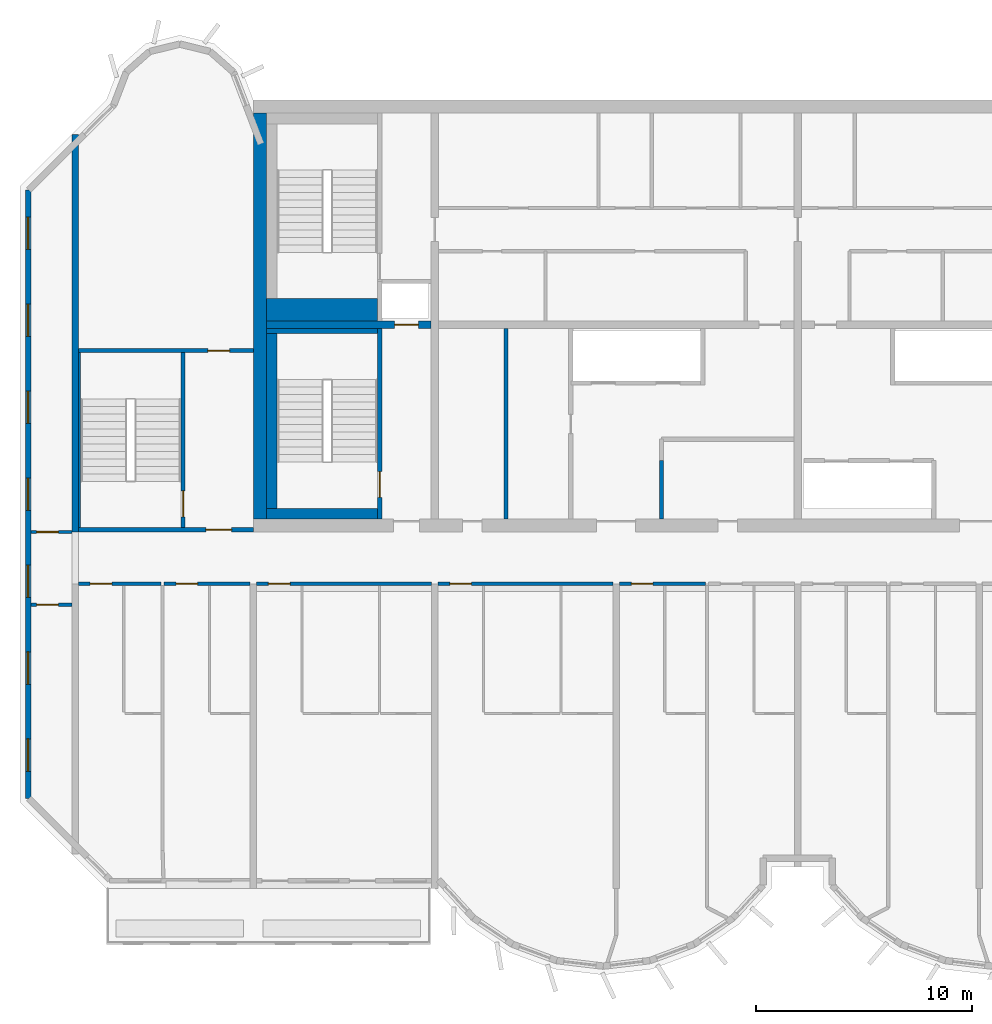
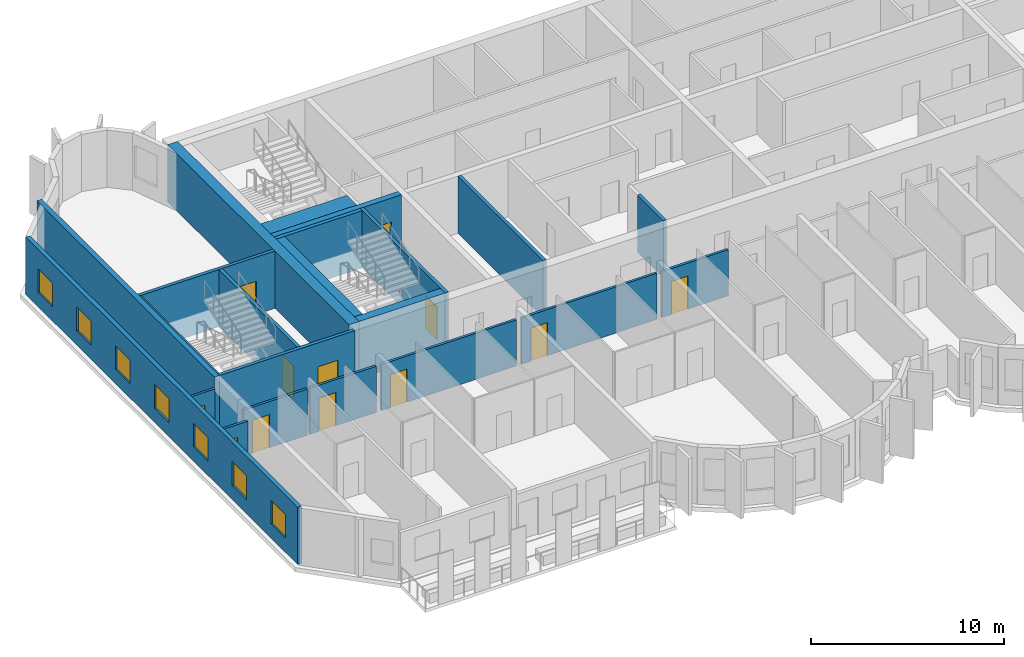
# One storey, part 3 of 11: 22 walls, 12 doors, 7 windows, 19 openings.
"""IFC4 building model written with IfcOpenShell, lengths in metres."""

from ifc_helpers import new_model, si_unit, direction, frame, frame_2d, origin, place, context, subcontext, project, spatial, rectangle, extrude, source, transform, mapped, material, layer, layer_set, type_object, element, fill, save


model = new_model("IFC4")

# Units and contexts
model_context = context("Model", 3, precision=1e-05, world=origin(), true_north=direction((0.0, 1.0)))
body_context = subcontext(model_context, "Body", "Model", "MODEL_VIEW")
ifc_project = project(units=[si_unit("LENGTHUNIT", "METRE"), si_unit("AREAUNIT", "SQUARE_METRE"), si_unit("VOLUMEUNIT", "CUBIC_METRE"), si_unit("PLANEANGLEUNIT", "RADIAN"), si_unit("MASSUNIT", "GRAM", prefix="KILO")], contexts=[model_context])

# Site, building, storey
site_placement = place(None, origin())
site = spatial("IfcSite", under=ifc_project, at=site_placement, CompositionType="ELEMENT")
building_placement = place(site_placement, origin())
building = spatial("IfcBuilding", under=site, at=building_placement, Name="Vanashikhar Sky Hotel", CompositionType="ELEMENT")
storey_placement = place(building_placement, frame((0.0, 0.0, 260.800048828125)))
storey = spatial("IfcBuildingStorey", under=building, at=storey_placement, Name="L63", CompositionType="ELEMENT", Elevation=260.800048828125)

# Wall
ifc_material_1 = material(Name="Concrete M60", Category="concrete")
ifc_layer_1 = layer(ifc_material_1, 0.60009765625)
ifc_layer_set_1 = layer_set([ifc_layer_1], Name="RC core shell wall 600 Concrete M60")
wall_type_1 = type_object("IfcWallType", Name="RC core shell wall 600 Concrete M60", PredefinedType="SHEAR", material=ifc_layer_set_1)
shared_shape_1 = source(origin(), body_context, "Body", "SweptSolid", [
    extrude(rectangle(XDim=18.7998046875, YDim=0.60009765625, at=frame_2d((9.39990234375, 0.0))), origin(), (0.0, 0.0, 1.0), 3.619873046875),
])
wall_1_placement = place(storey_placement, frame((25.5, 22.60009765625, 0.0), z_axis=(0.0, 0.0, 1.0), x_axis=(0.0, 1.0, 0.0)))
element("IfcWall", 1, at=wall_1_placement, inside=storey, type_object=wall_type_1, Name="KW-L63-KW", PredefinedType="SHEAR", context=body_context, shape_type="MappedRepresentation", body=[
    mapped(shared_shape_1, transform((0.0, 0.0, 0.0), scale=1.0)),
])

# Wall, opening, door
ifc_layer_2 = layer(ifc_material_1, 0.35009765625)
ifc_layer_set_2 = layer_set([ifc_layer_2], Name="RC core inner wall 350 Concrete M60")
wall_type_2 = type_object("IfcWallType", Name="RC core inner wall 350 Concrete M60", PredefinedType="SHEAR", material=ifc_layer_set_2)
shared_shape_2 = source(origin(), body_context, "Body", "SweptSolid", [
    extrude(rectangle(XDim=7.625, YDim=0.35009765625, at=frame_2d((3.8125, 0.0))), origin(), (0.0, 0.0, 1.0), 3.619873046875),
])
wall_2_placement = place(storey_placement, frame((25.800048828125, 31.60009765625, 0.0), z_axis=(0.0, 0.0, 1.0), x_axis=(1.0, 0.0, 0.0)))
wall_2 = element("IfcWall", 2, at=wall_2_placement, inside=storey, type_object=wall_type_2, Name="KW-L63-KY1", PredefinedType="SHEAR", context=body_context, shape_type="MappedRepresentation", body=[
    mapped(shared_shape_2, transform((0.0, 0.0, 0.0), scale=1.0)),
])
shared_shape_3 = source(origin(), body_context, "Body", "SweptSolid", [
    extrude(rectangle(XDim=1.10009765625, YDim=2.10009765625, at=frame_2d((0.550048828125, 1.050048828125))), frame((0.0, 0.18505859375, 0.0), z_axis=(0.0, -1.0, 0.0), x_axis=(1.0, 0.0, 0.0)), (0.0, 0.0, 1.0), 0.3701171875),
])
opening_1_placement = place(wall_2_placement, frame((5.93798828125, 0.0, 0.0)))
opening_1 = element("IfcOpeningElement", 3, at=opening_1_placement, cuts=wall_2, Name="Opening LD", PredefinedType="OPENING", context=body_context, shape_type="MappedRepresentation", body=[
    mapped(shared_shape_3, transform((0.0, 0.0, 0.0), scale=1.0)),
])
ifc_material_2 = material(Name="Stainless steel", Category="steel")
door_type_1 = type_object("IfcDoorType", Name="Lift landing door 1100", OperationType="NOTDEFINED", PredefinedType="DOOR", material=ifc_material_2)
shared_shape_4 = source(origin(), body_context, "Body", "SweptSolid", [
    extrude(rectangle(XDim=1.10009765625, YDim=2.10009765625, at=frame_2d((0.550048828125, 1.050048828125))), frame((0.0, 0.02490234375, 0.0), z_axis=(0.0, -1.0, 0.0), x_axis=(1.0, 0.0, 0.0)), (0.0, 0.0, 1.0), 0.050048828125),
])
door_1_placement = place(opening_1_placement, origin())
door_1 = element("IfcDoor", 4, at=door_1_placement, inside=storey, type_object=door_type_1, Name="Lift landing door 1100", OperationType="SLIDING_TO_LEFT", OverallHeight=2.10009765625, OverallWidth=1.10009765625, PredefinedType="DOOR", context=body_context, shape_type="MappedRepresentation", body=[
    mapped(shared_shape_4, transform((0.0, 0.0, 0.0), scale=1.0)),
])
fill(opening_1, door_1)

# Wall
ifc_layer_3 = layer(ifc_material_1, 0.300048828125)
ifc_layer_set_3 = layer_set([ifc_layer_3], Name="RC shear wall 300 Concrete M60")
wall_type_3 = type_object("IfcWallType", Name="RC shear wall 300 Concrete M60", PredefinedType="SHEAR", material=ifc_layer_set_3)
shared_shape_5 = source(origin(), body_context, "Body", "SweptSolid", [
    extrude(rectangle(XDim=18.39990234375, YDim=0.300048828125, at=frame_2d((9.199951171875, 0.0))), origin(), (0.0, 0.0, 1.0), 3.619873046875),
])
wall_3_placement = place(storey_placement, frame((16.949951171875, 22.0, 0.0), z_axis=(0.0, 0.0, 1.0), x_axis=(0.0, 1.0, 0.0)))
element("IfcWall", 5, at=wall_3_placement, inside=storey, type_object=wall_type_3, Name="CW-L63-XW03-2", PredefinedType="SHEAR", context=body_context, shape_type="MappedRepresentation", body=[
    mapped(shared_shape_5, transform((0.0, 0.0, 0.0), scale=1.0)),
])

# Wall, openings, windows
ifc_material_3 = material(Name="Concrete M50", Category="concrete")
ifc_layer_4 = layer(ifc_material_3, 0.25)
ifc_layer_set_4 = layer_set([ifc_layer_4], Name="Rear and end board-marked wall 250")
wall_type_4 = type_object("IfcWallType", Name="Rear and end board-marked wall 250", PredefinedType="SOLIDWALL", material=ifc_layer_set_4)
shared_shape_6 = source(origin(), body_context, "Body", "SweptSolid", [
    extrude(rectangle(XDim=28.189453125, YDim=0.25, at=frame_2d((14.0947265625, 0.0))), origin(), (0.0, 0.0, 1.0), 3.619873046875),
])
wall_4_placement = place(storey_placement, frame((14.77490234375, 37.8447265625, 0.0), z_axis=(0.0, 0.0, 1.0), x_axis=(0.0, -1.0, 0.0)))
wall_4 = element("IfcWall", 6, at=wall_4_placement, inside=storey, type_object=wall_type_4, Name="End board-marked wall", PredefinedType="SOLIDWALL", context=body_context, shape_type="MappedRepresentation", body=[
    mapped(shared_shape_6, transform((0.0, 0.0, 0.0), scale=1.0)),
])
shared_shape_7 = source(origin(), body_context, "Body", "SweptSolid", [
    extrude(rectangle(XDim=1.5, YDim=1.5, at=frame_2d((0.75, 0.75))), frame((0.0, 0.135009765625, 0.0), z_axis=(0.0, -1.0, 0.0), x_axis=(1.0, 0.0, 0.0)), (0.0, 0.0, 1.0), 0.27001953125),
])
opening_2_placement = place(wall_4_placement, frame((1.263427734375, 0.0, 0.89990234375)))
opening_2 = element("IfcOpeningElement", 7, at=opening_2_placement, cuts=wall_4, Name="Opening WN-1", PredefinedType="OPENING", context=body_context, shape_type="MappedRepresentation", body=[
    mapped(shared_shape_7, transform((0.0, 0.0, 0.0), scale=1.0)),
])
opening_3_placement = place(wall_4_placement, frame((5.29052734375, 0.0, 0.89990234375)))
opening_3 = element("IfcOpeningElement", 8, at=opening_3_placement, cuts=wall_4, Name="Opening WN-1", PredefinedType="OPENING", context=body_context, shape_type="MappedRepresentation", body=[
    mapped(shared_shape_7, transform((0.0, 0.0, 0.0), scale=1.0)),
])
opening_4_placement = place(wall_4_placement, frame((9.317626953125, 0.0, 0.89990234375)))
opening_4 = element("IfcOpeningElement", 9, at=opening_4_placement, cuts=wall_4, Name="Opening WN-1", PredefinedType="OPENING", context=body_context, shape_type="MappedRepresentation", body=[
    mapped(shared_shape_7, transform((0.0, 0.0, 0.0), scale=1.0)),
])
opening_5_placement = place(wall_4_placement, frame((13.3447265625, 0.0, 0.89990234375)))
opening_5 = element("IfcOpeningElement", 10, at=opening_5_placement, cuts=wall_4, Name="Opening WN-1", PredefinedType="OPENING", context=body_context, shape_type="MappedRepresentation", body=[
    mapped(shared_shape_7, transform((0.0, 0.0, 0.0), scale=1.0)),
])
opening_6_placement = place(wall_4_placement, frame((17.371826171875, 0.0, 0.89990234375)))
opening_6 = element("IfcOpeningElement", 11, at=opening_6_placement, cuts=wall_4, Name="Opening WN-1", PredefinedType="OPENING", context=body_context, shape_type="MappedRepresentation", body=[
    mapped(shared_shape_7, transform((0.0, 0.0, 0.0), scale=1.0)),
])
opening_7_placement = place(wall_4_placement, frame((21.398681640625, 0.0, 0.89990234375)))
opening_7 = element("IfcOpeningElement", 12, at=opening_7_placement, cuts=wall_4, Name="Opening WN-1", PredefinedType="OPENING", context=body_context, shape_type="MappedRepresentation", body=[
    mapped(shared_shape_7, transform((0.0, 0.0, 0.0), scale=1.0)),
])
opening_8_placement = place(wall_4_placement, frame((25.42578125, 0.0, 0.89990234375)))
opening_8 = element("IfcOpeningElement", 13, at=opening_8_placement, cuts=wall_4, Name="Opening WN-1", PredefinedType="OPENING", context=body_context, shape_type="MappedRepresentation", body=[
    mapped(shared_shape_7, transform((0.0, 0.0, 0.0), scale=1.0)),
])
ifc_material_4 = material(Name="Glass", Category="glass")
window_type = type_object("IfcWindowType", Name="Window 1500 x 1500", PartitioningType="SINGLE_PANEL", PredefinedType="WINDOW", material=ifc_material_4)
shared_shape_8 = source(origin(), body_context, "Body", "SweptSolid", [
    extrude(rectangle(XDim=1.5, YDim=1.5, at=frame_2d((0.75, 0.75))), frame((0.0, 0.030029296875, 0.0), z_axis=(0.0, -1.0, 0.0), x_axis=(1.0, 0.0, 0.0)), (0.0, 0.0, 1.0), 0.06005859375),
])
window_1_placement = place(opening_2_placement, origin())
window_1 = element("IfcWindow", 14, at=window_1_placement, inside=storey, type_object=window_type, Name="Window WN-1", OverallHeight=1.5, OverallWidth=1.5, PartitioningType="SINGLE_PANEL", PredefinedType="WINDOW", context=body_context, shape_type="MappedRepresentation", body=[
    mapped(shared_shape_8, transform((0.0, 0.0, 0.0), scale=1.0)),
])
fill(opening_2, window_1)
window_2_placement = place(opening_3_placement, origin())
window_2 = element("IfcWindow", 15, at=window_2_placement, inside=storey, type_object=window_type, Name="Window WN-1", OverallHeight=1.5, OverallWidth=1.5, PartitioningType="SINGLE_PANEL", PredefinedType="WINDOW", context=body_context, shape_type="MappedRepresentation", body=[
    mapped(shared_shape_8, transform((0.0, 0.0, 0.0), scale=1.0)),
])
fill(opening_3, window_2)
window_3_placement = place(opening_4_placement, origin())
window_3 = element("IfcWindow", 16, at=window_3_placement, inside=storey, type_object=window_type, Name="Window WN-1", OverallHeight=1.5, OverallWidth=1.5, PartitioningType="SINGLE_PANEL", PredefinedType="WINDOW", context=body_context, shape_type="MappedRepresentation", body=[
    mapped(shared_shape_8, transform((0.0, 0.0, 0.0), scale=1.0)),
])
fill(opening_4, window_3)
window_4_placement = place(opening_5_placement, origin())
window_4 = element("IfcWindow", 17, at=window_4_placement, inside=storey, type_object=window_type, Name="Window WN-1", OverallHeight=1.5, OverallWidth=1.5, PartitioningType="SINGLE_PANEL", PredefinedType="WINDOW", context=body_context, shape_type="MappedRepresentation", body=[
    mapped(shared_shape_8, transform((0.0, 0.0, 0.0), scale=1.0)),
])
fill(opening_5, window_4)
window_5_placement = place(opening_6_placement, origin())
window_5 = element("IfcWindow", 18, at=window_5_placement, inside=storey, type_object=window_type, Name="Window WN-1", OverallHeight=1.5, OverallWidth=1.5, PartitioningType="SINGLE_PANEL", PredefinedType="WINDOW", context=body_context, shape_type="MappedRepresentation", body=[
    mapped(shared_shape_8, transform((0.0, 0.0, 0.0), scale=1.0)),
])
fill(opening_6, window_5)
window_6_placement = place(opening_7_placement, origin())
window_6 = element("IfcWindow", 19, at=window_6_placement, inside=storey, type_object=window_type, Name="Window WN-1", OverallHeight=1.5, OverallWidth=1.5, PartitioningType="SINGLE_PANEL", PredefinedType="WINDOW", context=body_context, shape_type="MappedRepresentation", body=[
    mapped(shared_shape_8, transform((0.0, 0.0, 0.0), scale=1.0)),
])
fill(opening_7, window_6)
window_7_placement = place(opening_8_placement, origin())
window_7 = element("IfcWindow", 20, at=window_7_placement, inside=storey, type_object=window_type, Name="Window WN-1", OverallHeight=1.5, OverallWidth=1.5, PartitioningType="SINGLE_PANEL", PredefinedType="WINDOW", context=body_context, shape_type="MappedRepresentation", body=[
    mapped(shared_shape_8, transform((0.0, 0.0, 0.0), scale=1.0)),
])
fill(opening_8, window_7)

# Walls
ifc_material_5 = material(Name="Gypsum board partition")
ifc_layer_5 = layer(ifc_material_5, 0.14990234375)
ifc_layer_set_5 = layer_set([ifc_layer_5], Name="Service partition 150")
wall_type_5 = type_object("IfcWallType", Name="Service partition 150", PredefinedType="PARTITIONING", material=ifc_layer_set_5)
shared_shape_9 = source(origin(), body_context, "Body", "SweptSolid", [
    extrude(rectangle(XDim=8.824951171875, YDim=0.199951171875, at=frame_2d((4.41259765625, 0.0))), origin(), (0.0, 0.0, 1.0), 3.619873046875),
])
wall_5_placement = place(storey_placement, frame((36.89990234375, 22.60009765625, 0.0), z_axis=(0.0, 0.0, 1.0), x_axis=(0.0, 1.0, 0.0)))
element("IfcWall", 21, at=wall_5_placement, inside=storey, type_object=wall_type_5, Name="Service partition 150", PredefinedType="PARTITIONING", context=body_context, shape_type="MappedRepresentation", body=[
    mapped(shared_shape_9, transform((0.0, 0.0, 0.0), scale=1.0)),
])
shared_shape_10 = source(origin(), body_context, "Body", "SweptSolid", [
    extrude(rectangle(XDim=2.699951171875, YDim=0.199951171875, at=frame_2d((1.35009765625, 0.0))), origin(), (0.0, 0.0, 1.0), 3.619873046875),
])
wall_6_placement = place(storey_placement, frame((44.10009765625, 22.60009765625, 0.0), z_axis=(0.0, 0.0, 1.0), x_axis=(0.0, 1.0, 0.0)))
element("IfcWall", 22, at=wall_6_placement, inside=storey, type_object=wall_type_5, Name="Service partition 150", PredefinedType="PARTITIONING", context=body_context, shape_type="MappedRepresentation", body=[
    mapped(shared_shape_10, transform((0.0, 0.0, 0.0), scale=1.0)),
])

# Wall, opening, door
ifc_layer_6 = layer(ifc_material_3, 0.199951171875)
ifc_layer_set_6 = layer_set([ifc_layer_6], Name="Stair wall 200")
wall_type_6 = type_object("IfcWallType", Name="Stair wall 200", PredefinedType="SOLIDWALL", material=ifc_layer_set_6)
shared_shape_11 = source(origin(), body_context, "Body", "SweptSolid", [
    extrude(rectangle(XDim=8.824951171875, YDim=0.199951171875, at=frame_2d((4.41259765625, 0.0))), origin(), (0.0, 0.0, 1.0), 3.619873046875),
])
wall_7_placement = place(storey_placement, frame((31.050048828125, 22.60009765625, 0.0), z_axis=(0.0, 0.0, 1.0), x_axis=(0.0, 1.0, 0.0)))
wall_7 = element("IfcWall", 23, at=wall_7_placement, inside=storey, type_object=wall_type_6, Name="Stair wall 200", PredefinedType="SOLIDWALL", context=body_context, shape_type="MappedRepresentation", body=[
    mapped(shared_shape_11, transform((0.0, 0.0, 0.0), scale=1.0)),
])
shared_shape_12 = source(origin(), body_context, "Body", "SweptSolid", [
    extrude(rectangle(XDim=1.199951171875, YDim=2.10009765625, at=frame_2d((0.60009765625, 1.050048828125))), frame((0.0, 0.10986328125, 0.0), z_axis=(0.0, -1.0, 0.0), x_axis=(1.0, 0.0, 0.0)), (0.0, 0.0, 1.0), 0.219970703125),
])
opening_9_placement = place(wall_7_placement, frame((1.0, 0.0, 0.0)))
opening_9 = element("IfcOpeningElement", 24, at=opening_9_placement, cuts=wall_7, Name="Opening DC-1", PredefinedType="OPENING", context=body_context, shape_type="MappedRepresentation", body=[
    mapped(shared_shape_12, transform((0.0, 0.0, 0.0), scale=1.0)),
])
ifc_material_6 = material(Name="Steel", Category="steel")
door_type_2 = type_object("IfcDoorType", Name="Stair door 1200 FD120", OperationType="NOTDEFINED", PredefinedType="DOOR", material=ifc_material_6)
shared_shape_13 = source(origin(), body_context, "Body", "SweptSolid", [
    extrude(rectangle(XDim=1.199951171875, YDim=2.10009765625, at=frame_2d((0.60009765625, 1.050048828125))), frame((0.0, 0.02490234375, 0.0), z_axis=(0.0, -1.0, 0.0), x_axis=(1.0, 0.0, 0.0)), (0.0, 0.0, 1.0), 0.050048828125),
])
door_2_placement = place(opening_9_placement, origin())
door_2 = element("IfcDoor", 25, at=door_2_placement, inside=storey, type_object=door_type_2, Name="Stair door 1200 FD120", OperationType="SINGLE_SWING_LEFT", OverallHeight=2.10009765625, OverallWidth=1.199951171875, PredefinedType="DOOR", context=body_context, shape_type="MappedRepresentation", body=[
    mapped(shared_shape_13, transform((0.0, 0.0, 0.0), scale=1.0)),
])
fill(opening_9, door_2)

shared_shape_14 = source(origin(), body_context, "Body", "SweptSolid", [
    extrude(rectangle(XDim=8.2998046875, YDim=0.199951171875, at=frame_2d((4.14990234375, 0.0))), origin(), (0.0, 0.0, 1.0), 3.619873046875),
])
wall_8_placement = place(storey_placement, frame((21.949951171875, 22.10009765625, 0.0), z_axis=(0.0, 0.0, 1.0), x_axis=(0.0, 1.0, 0.0)))
wall_8 = element("IfcWall", 26, at=wall_8_placement, inside=storey, type_object=wall_type_6, Name="Stair wall 200", PredefinedType="SOLIDWALL", context=body_context, shape_type="MappedRepresentation", body=[
    mapped(shared_shape_14, transform((0.0, 0.0, 0.0), scale=1.0)),
])
opening_10_placement = place(wall_8_placement, frame((0.60009765625, 0.0, 0.0)))
opening_10 = element("IfcOpeningElement", 27, at=opening_10_placement, cuts=wall_8, Name="Opening DC-1", PredefinedType="OPENING", context=body_context, shape_type="MappedRepresentation", body=[
    mapped(shared_shape_12, transform((0.0, 0.0, 0.0), scale=1.0)),
])
door_3_placement = place(opening_10_placement, origin())
door_3 = element("IfcDoor", 28, at=door_3_placement, inside=storey, type_object=door_type_2, Name="Stair door 1200 FD120", OperationType="SINGLE_SWING_LEFT", OverallHeight=2.10009765625, OverallWidth=1.199951171875, PredefinedType="DOOR", context=body_context, shape_type="MappedRepresentation", body=[
    mapped(shared_shape_13, transform((0.0, 0.0, 0.0), scale=1.0)),
])
fill(opening_10, door_3)

shared_shape_15 = source(origin(), body_context, "Body", "SweptSolid", [
    extrude(rectangle(XDim=8.099853515625, YDim=0.199951171875, at=frame_2d((4.0498046875, 0.0))), origin(), (0.0, 0.0, 1.0), 3.619873046875),
])
wall_9_placement = place(storey_placement, frame((17.10009765625, 22.10009765625, 0.0), z_axis=(0.0, 0.0, 1.0), x_axis=(1.0, 0.0, 0.0)))
wall_9 = element("IfcWall", 29, at=wall_9_placement, inside=storey, type_object=wall_type_6, Name="Stair wall 200", PredefinedType="SOLIDWALL", context=body_context, shape_type="MappedRepresentation", body=[
    mapped(shared_shape_15, transform((0.0, 0.0, 0.0), scale=1.0)),
])
opening_11_placement = place(wall_9_placement, frame((5.89990234375, 0.0, 0.0)))
opening_11 = element("IfcOpeningElement", 30, at=opening_11_placement, cuts=wall_9, Name="Opening DC-2", PredefinedType="OPENING", context=body_context, shape_type="MappedRepresentation", body=[
    mapped(shared_shape_12, transform((0.0, 0.0, 0.0), scale=1.0)),
])
door_type_3 = type_object("IfcDoorType", Name="Firefighting lobby door 1200 FD120", OperationType="NOTDEFINED", PredefinedType="DOOR", material=ifc_material_6)
door_4_placement = place(opening_11_placement, origin())
door_4 = element("IfcDoor", 31, at=door_4_placement, inside=storey, type_object=door_type_3, Name="Firefighting lobby door 1200 FD120", OperationType="SINGLE_SWING_RIGHT", OverallHeight=2.10009765625, OverallWidth=1.199951171875, PredefinedType="DOOR", context=body_context, shape_type="MappedRepresentation", body=[
    mapped(shared_shape_13, transform((0.0, 0.0, 0.0), scale=1.0)),
])
fill(opening_11, door_4)

wall_10_placement = place(storey_placement, frame((17.10009765625, 30.39990234375, 0.0), z_axis=(0.0, 0.0, 1.0), x_axis=(1.0, 0.0, 0.0)))
wall_10 = element("IfcWall", 32, at=wall_10_placement, inside=storey, type_object=wall_type_6, Name="Stair wall 200", PredefinedType="SOLIDWALL", context=body_context, shape_type="MappedRepresentation", body=[
    mapped(shared_shape_15, transform((0.0, 0.0, 0.0), scale=1.0)),
])
shared_shape_16 = source(origin(), body_context, "Body", "SweptSolid", [
    extrude(rectangle(XDim=1.0, YDim=2.10009765625, at=frame_2d((0.5, 1.050048828125))), frame((0.0, 0.10986328125, 0.0), z_axis=(0.0, -1.0, 0.0), x_axis=(1.0, 0.0, 0.0)), (0.0, 0.0, 1.0), 0.219970703125),
])
opening_12_placement = place(wall_10_placement, frame((6.0, 0.0, 0.0)))
opening_12 = element("IfcOpeningElement", 33, at=opening_12_placement, cuts=wall_10, Name="Opening DC-6", PredefinedType="OPENING", context=body_context, shape_type="MappedRepresentation", body=[
    mapped(shared_shape_16, transform((0.0, 0.0, 0.0), scale=1.0)),
])
door_type_4 = type_object("IfcDoorType", Name="Pocket door 1000 FD60", OperationType="NOTDEFINED", PredefinedType="DOOR", material=ifc_material_6)
shared_shape_17 = source(origin(), body_context, "Body", "SweptSolid", [
    extrude(rectangle(XDim=1.0, YDim=2.10009765625, at=frame_2d((0.5, 1.050048828125))), frame((0.0, 0.02490234375, 0.0), z_axis=(0.0, -1.0, 0.0), x_axis=(1.0, 0.0, 0.0)), (0.0, 0.0, 1.0), 0.050048828125),
])
door_5_placement = place(opening_12_placement, origin())
door_5 = element("IfcDoor", 34, at=door_5_placement, inside=storey, type_object=door_type_4, Name="Pocket door 1000 FD60", OperationType="SINGLE_SWING_RIGHT", OverallHeight=2.10009765625, OverallWidth=1.0, PredefinedType="DOOR", context=body_context, shape_type="MappedRepresentation", body=[
    mapped(shared_shape_17, transform((0.0, 0.0, 0.0), scale=1.0)),
])
fill(opening_12, door_5)

# Walls
ifc_layer_7 = layer(ifc_material_3, 0.5)
ifc_layer_set_7 = layer_set([ifc_layer_7], Name="Stair infill wall 500")
wall_type_7 = type_object("IfcWallType", Name="Stair infill wall 500", PredefinedType="SOLIDWALL", material=ifc_layer_set_7)
shared_shape_18 = source(origin(), body_context, "Body", "SweptSolid", [
    extrude(rectangle(XDim=5.14990234375, YDim=0.5, at=frame_2d((2.574951171875, 0.0))), origin(), (0.0, 0.0, 1.0), 3.619873046875),
])
wall_11_placement = place(storey_placement, frame((25.800048828125, 22.85009765625, 0.0), z_axis=(0.0, 0.0, 1.0), x_axis=(1.0, 0.0, 0.0)))
element("IfcWall", 35, at=wall_11_placement, inside=storey, type_object=wall_type_7, Name="Stair infill wall 500", PredefinedType="SOLIDWALL", context=body_context, shape_type="MappedRepresentation", body=[
    mapped(shared_shape_18, transform((0.0, 0.0, 0.0), scale=1.0)),
])
ifc_layer_8 = layer(ifc_material_3, 0.22509765625)
ifc_layer_set_8 = layer_set([ifc_layer_8], Name="Stair infill wall 225")
wall_type_8 = type_object("IfcWallType", Name="Stair infill wall 225", PredefinedType="SOLIDWALL", material=ifc_layer_set_8)
shared_shape_19 = source(origin(), body_context, "Body", "SweptSolid", [
    extrude(rectangle(XDim=5.14990234375, YDim=0.22509765625, at=frame_2d((2.574951171875, 0.0))), origin(), (0.0, 0.0, 1.0), 3.619873046875),
])
wall_12_placement = place(storey_placement, frame((25.800048828125, 31.31201171875, 0.0), z_axis=(0.0, 0.0, 1.0), x_axis=(1.0, 0.0, 0.0)))
element("IfcWall", 36, at=wall_12_placement, inside=storey, type_object=wall_type_8, Name="Stair infill wall 225", PredefinedType="SOLIDWALL", context=body_context, shape_type="MappedRepresentation", body=[
    mapped(shared_shape_19, transform((0.0, 0.0, 0.0), scale=1.0)),
])
shared_shape_20 = source(origin(), body_context, "Body", "SweptSolid", [
    extrude(rectangle(XDim=8.099853515625, YDim=0.5, at=frame_2d((4.0498046875, 0.0))), origin(), (0.0, 0.0, 1.0), 3.619873046875),
])
wall_13_placement = place(storey_placement, frame((26.050048828125, 23.10009765625, 0.0), z_axis=(0.0, 0.0, 1.0), x_axis=(0.0, 1.0, 0.0)))
element("IfcWall", 37, at=wall_13_placement, inside=storey, type_object=wall_type_7, Name="Stair infill wall 500", PredefinedType="SOLIDWALL", context=body_context, shape_type="MappedRepresentation", body=[
    mapped(shared_shape_20, transform((0.0, 0.0, 0.0), scale=1.0)),
])
ifc_layer_9 = layer(ifc_material_3, 0.10009765625)
ifc_layer_set_9 = layer_set([ifc_layer_9], Name="Stair infill wall 100")
wall_type_9 = type_object("IfcWallType", Name="Stair infill wall 100", PredefinedType="SOLIDWALL", material=ifc_layer_set_9)
shared_shape_21 = source(origin(), body_context, "Body", "SweptSolid", [
    extrude(rectangle(XDim=8.10009765625, YDim=0.10009765625, at=frame_2d((4.050048828125, 0.0))), origin(), (0.0, 0.0, 1.0), 3.619873046875),
])
wall_14_placement = place(storey_placement, frame((17.14990234375, 22.199951171875, 0.0), z_axis=(0.0, 0.0, 1.0), x_axis=(0.0, 1.0, 0.0)))
element("IfcWall", 38, at=wall_14_placement, inside=storey, type_object=wall_type_9, Name="Stair infill wall 100", PredefinedType="SOLIDWALL", context=body_context, shape_type="MappedRepresentation", body=[
    mapped(shared_shape_21, transform((0.0, 0.0, 0.0), scale=1.0)),
])
ifc_layer_10 = layer(ifc_material_3, 1.02490234375)
ifc_layer_set_10 = layer_set([ifc_layer_10], Name="Stair infill wall 1025")
wall_type_10 = type_object("IfcWallType", Name="Stair infill wall 1025", PredefinedType="SOLIDWALL", material=ifc_layer_set_10)
shared_shape_22 = source(origin(), body_context, "Body", "SweptSolid", [
    extrude(rectangle(XDim=5.14990234375, YDim=1.02490234375, at=frame_2d((2.574951171875, 0.0))), origin(), (0.0, 0.0, 1.0), 3.619873046875),
])
wall_15_placement = place(storey_placement, frame((25.800048828125, 32.287109375, 0.0), z_axis=(0.0, 0.0, 1.0), x_axis=(1.0, 0.0, 0.0)))
element("IfcWall", 39, at=wall_15_placement, inside=storey, type_object=wall_type_10, Name="Stair infill wall 1025", PredefinedType="SOLIDWALL", context=body_context, shape_type="MappedRepresentation", body=[
    mapped(shared_shape_22, transform((0.0, 0.0, 0.0), scale=1.0)),
])

# Wall, opening, door
ifc_material_7 = material(Name="Gypsum plasterboard partition")
ifc_layer_11 = layer(ifc_material_7, 0.14990234375)
ifc_layer_set_11 = layer_set([ifc_layer_11], Name="Corridor and demising partition 150")
wall_type_11 = type_object("IfcWallType", Name="Corridor and demising partition 150", PredefinedType="PARTITIONING", material=ifc_layer_set_11)
shared_shape_23 = source(origin(), body_context, "Body", "SweptSolid", [
    extrude(rectangle(XDim=3.824951171875, YDim=0.14990234375, at=frame_2d((1.91259765625, 0.0))), origin(), (0.0, 0.0, 1.0), 2.919921875),
])
wall_16_placement = place(storey_placement, frame((17.10009765625, 19.60009765625, 0.0), z_axis=(0.0, 0.0, 1.0), x_axis=(1.0, 0.0, 0.0)))
wall_16 = element("IfcWall", 40, at=wall_16_placement, inside=storey, type_object=wall_type_11, Name="W-L63-PW003", PredefinedType="PARTITIONING", context=body_context, shape_type="MappedRepresentation", body=[
    mapped(shared_shape_23, transform((0.0, 0.0, 0.0), scale=1.0)),
])
shared_shape_24 = source(origin(), body_context, "Body", "SweptSolid", [
    extrude(rectangle(XDim=1.0, YDim=2.10009765625, at=frame_2d((0.5, 1.050048828125))), frame((0.0, 0.0849609375, 0.0), z_axis=(0.0, -1.0, 0.0), x_axis=(1.0, 0.0, 0.0)), (0.0, 0.0, 1.0), 0.169921875),
])
opening_13_placement = place(wall_16_placement, frame((0.550048828125, 0.0, 0.0)))
opening_13 = element("IfcOpeningElement", 41, at=opening_13_placement, cuts=wall_16, Name="Opening D-01", PredefinedType="OPENING", context=body_context, shape_type="MappedRepresentation", body=[
    mapped(shared_shape_24, transform((0.0, 0.0, 0.0), scale=1.0)),
])
ifc_material_8 = material(Name="Timber fire door", Category="wood")
door_type_5 = type_object("IfcDoorType", Name="Guest entry door 1000 FD30S", OperationType="NOTDEFINED", PredefinedType="DOOR", material=ifc_material_8)
door_6_placement = place(opening_13_placement, origin())
door_6 = element("IfcDoor", 42, at=door_6_placement, inside=storey, type_object=door_type_5, Name="D-L63-002", OperationType="SINGLE_SWING_LEFT", OverallHeight=2.10009765625, OverallWidth=1.0, PredefinedType="DOOR", context=body_context, shape_type="MappedRepresentation", body=[
    mapped(shared_shape_17, transform((0.0, 0.0, 0.0), scale=1.0)),
])
fill(opening_13, door_6)

shared_shape_25 = source(origin(), body_context, "Body", "SweptSolid", [
    extrude(rectangle(XDim=3.97509765625, YDim=0.14990234375, at=frame_2d((1.987548828125, 0.0))), origin(), (0.0, 0.0, 1.0), 2.919921875),
])
wall_17_placement = place(storey_placement, frame((21.074951171875, 19.60009765625, 0.0), z_axis=(0.0, 0.0, 1.0), x_axis=(1.0, 0.0, 0.0)))
wall_17 = element("IfcWall", 43, at=wall_17_placement, inside=storey, type_object=wall_type_11, Name="W-L63-PW006", PredefinedType="PARTITIONING", context=body_context, shape_type="MappedRepresentation", body=[
    mapped(shared_shape_25, transform((0.0, 0.0, 0.0), scale=1.0)),
])
opening_14_placement = place(wall_17_placement, frame((0.550048828125, 0.0, 0.0)))
opening_14 = element("IfcOpeningElement", 44, at=opening_14_placement, cuts=wall_17, Name="Opening D-01", PredefinedType="OPENING", context=body_context, shape_type="MappedRepresentation", body=[
    mapped(shared_shape_24, transform((0.0, 0.0, 0.0), scale=1.0)),
])
door_7_placement = place(opening_14_placement, origin())
door_7 = element("IfcDoor", 45, at=door_7_placement, inside=storey, type_object=door_type_5, Name="D-L63-004", OperationType="SINGLE_SWING_LEFT", OverallHeight=2.10009765625, OverallWidth=1.0, PredefinedType="DOOR", context=body_context, shape_type="MappedRepresentation", body=[
    mapped(shared_shape_17, transform((0.0, 0.0, 0.0), scale=1.0)),
])
fill(opening_14, door_7)

wall_18_placement = place(storey_placement, frame((42.14990234375, 19.60009765625, 0.0), z_axis=(0.0, 0.0, 1.0), x_axis=(1.0, 0.0, 0.0)))
wall_18 = element("IfcWall", 46, at=wall_18_placement, inside=storey, type_object=wall_type_11, Name="W-L63-PW020", PredefinedType="PARTITIONING", context=body_context, shape_type="MappedRepresentation", body=[
    mapped(shared_shape_25, transform((0.0, 0.0, 0.0), scale=1.0)),
])
opening_15_placement = place(wall_18_placement, frame((0.550048828125, 0.0, 0.0)))
opening_15 = element("IfcOpeningElement", 47, at=opening_15_placement, cuts=wall_18, Name="Opening D-01", PredefinedType="OPENING", context=body_context, shape_type="MappedRepresentation", body=[
    mapped(shared_shape_24, transform((0.0, 0.0, 0.0), scale=1.0)),
])
door_8_placement = place(opening_15_placement, origin())
door_8 = element("IfcDoor", 48, at=door_8_placement, inside=storey, type_object=door_type_5, Name="D-L63-012", OperationType="SINGLE_SWING_LEFT", OverallHeight=2.10009765625, OverallWidth=1.0, PredefinedType="DOOR", context=body_context, shape_type="MappedRepresentation", body=[
    mapped(shared_shape_17, transform((0.0, 0.0, 0.0), scale=1.0)),
])
fill(opening_15, door_8)

shared_shape_26 = source(origin(), body_context, "Body", "SweptSolid", [
    extrude(rectangle(XDim=8.099853515625, YDim=0.14990234375, at=frame_2d((4.0498046875, 0.0))), origin(), (0.0, 0.0, 1.0), 2.919921875),
])
wall_19_placement = place(storey_placement, frame((25.35009765625, 19.60009765625, 0.0), z_axis=(0.0, 0.0, 1.0), x_axis=(1.0, 0.0, 0.0)))
wall_19 = element("IfcWall", 49, at=wall_19_placement, inside=storey, type_object=wall_type_11, Name="W-L63-PW012", PredefinedType="PARTITIONING", context=body_context, shape_type="MappedRepresentation", body=[
    mapped(shared_shape_26, transform((0.0, 0.0, 0.0), scale=1.0)),
])
opening_16_placement = place(wall_19_placement, frame((0.550048828125, 0.0, 0.0)))
opening_16 = element("IfcOpeningElement", 50, at=opening_16_placement, cuts=wall_19, Name="Opening D-01", PredefinedType="OPENING", context=body_context, shape_type="MappedRepresentation", body=[
    mapped(shared_shape_24, transform((0.0, 0.0, 0.0), scale=1.0)),
])
door_9_placement = place(opening_16_placement, origin())
door_9 = element("IfcDoor", 51, at=door_9_placement, inside=storey, type_object=door_type_5, Name="D-L63-007", OperationType="SINGLE_SWING_LEFT", OverallHeight=2.10009765625, OverallWidth=1.0, PredefinedType="DOOR", context=body_context, shape_type="MappedRepresentation", body=[
    mapped(shared_shape_17, transform((0.0, 0.0, 0.0), scale=1.0)),
])
fill(opening_16, door_9)

shared_shape_27 = source(origin(), body_context, "Body", "SweptSolid", [
    extrude(rectangle(XDim=8.10009765625, YDim=0.14990234375, at=frame_2d((4.050048828125, 0.0))), origin(), (0.0, 0.0, 1.0), 2.919921875),
])
wall_20_placement = place(storey_placement, frame((33.75, 19.60009765625, 0.0), z_axis=(0.0, 0.0, 1.0), x_axis=(1.0, 0.0, 0.0)))
wall_20 = element("IfcWall", 52, at=wall_20_placement, inside=storey, type_object=wall_type_11, Name="W-L63-PW017", PredefinedType="PARTITIONING", context=body_context, shape_type="MappedRepresentation", body=[
    mapped(shared_shape_27, transform((0.0, 0.0, 0.0), scale=1.0)),
])
opening_17_placement = place(wall_20_placement, frame((0.550048828125, 0.0, 0.0)))
opening_17 = element("IfcOpeningElement", 53, at=opening_17_placement, cuts=wall_20, Name="Opening D-01", PredefinedType="OPENING", context=body_context, shape_type="MappedRepresentation", body=[
    mapped(shared_shape_24, transform((0.0, 0.0, 0.0), scale=1.0)),
])
door_10_placement = place(opening_17_placement, origin())
door_10 = element("IfcDoor", 54, at=door_10_placement, inside=storey, type_object=door_type_5, Name="D-L63-010", OperationType="SINGLE_SWING_LEFT", OverallHeight=2.10009765625, OverallWidth=1.0, PredefinedType="DOOR", context=body_context, shape_type="MappedRepresentation", body=[
    mapped(shared_shape_17, transform((0.0, 0.0, 0.0), scale=1.0)),
])
fill(opening_17, door_10)

shared_shape_28 = source(origin(), body_context, "Body", "SweptSolid", [
    extrude(rectangle(XDim=1.900146484375, YDim=0.14990234375, at=frame_2d((0.9501953125, 0.0))), origin(), (0.0, 0.0, 1.0), 2.919921875),
])
wall_21_placement = place(storey_placement, frame((14.89990234375, 22.0, 0.0), z_axis=(0.0, 0.0, 1.0), x_axis=(1.0, 0.0, 0.0)))
wall_21 = element("IfcWall", 55, at=wall_21_placement, inside=storey, type_object=wall_type_11, Name="W-L63-PW049", PredefinedType="PARTITIONING", context=body_context, shape_type="MappedRepresentation", body=[
    mapped(shared_shape_28, transform((0.0, 0.0, 0.0), scale=1.0)),
])
opening_18_placement = place(wall_21_placement, frame((0.27490234375, 0.0, 0.0)))
opening_18 = element("IfcOpeningElement", 56, at=opening_18_placement, cuts=wall_21, Name="Opening D-01", PredefinedType="OPENING", context=body_context, shape_type="MappedRepresentation", body=[
    mapped(shared_shape_24, transform((0.0, 0.0, 0.0), scale=1.0)),
])
door_11_placement = place(opening_18_placement, origin())
door_11 = element("IfcDoor", 57, at=door_11_placement, inside=storey, type_object=door_type_5, Name="D-L63-028", OperationType="SINGLE_SWING_LEFT", OverallHeight=2.10009765625, OverallWidth=1.0, PredefinedType="DOOR", context=body_context, shape_type="MappedRepresentation", body=[
    mapped(shared_shape_17, transform((0.0, 0.0, 0.0), scale=1.0)),
])
fill(opening_18, door_11)

wall_22_placement = place(storey_placement, frame((14.89990234375, 18.6279296875, 0.0), z_axis=(0.0, 0.0, 1.0), x_axis=(1.0, 0.0, 0.0)))
wall_22 = element("IfcWall", 58, at=wall_22_placement, inside=storey, type_object=wall_type_11, Name="W-L63-PW051", PredefinedType="PARTITIONING", context=body_context, shape_type="MappedRepresentation", body=[
    mapped(shared_shape_28, transform((0.0, 0.0, 0.0), scale=1.0)),
])
opening_19_placement = place(wall_22_placement, frame((0.27490234375, 0.0, 0.0)))
opening_19 = element("IfcOpeningElement", 59, at=opening_19_placement, cuts=wall_22, Name="Opening D-01", PredefinedType="OPENING", context=body_context, shape_type="MappedRepresentation", body=[
    mapped(shared_shape_24, transform((0.0, 0.0, 0.0), scale=1.0)),
])
door_12_placement = place(opening_19_placement, origin())
door_12 = element("IfcDoor", 60, at=door_12_placement, inside=storey, type_object=door_type_5, Name="D-L63-030", OperationType="SINGLE_SWING_LEFT", OverallHeight=2.10009765625, OverallWidth=1.0, PredefinedType="DOOR", context=body_context, shape_type="MappedRepresentation", body=[
    mapped(shared_shape_17, transform((0.0, 0.0, 0.0), scale=1.0)),
])
fill(opening_19, door_12)

save(model, "model.ifc")
